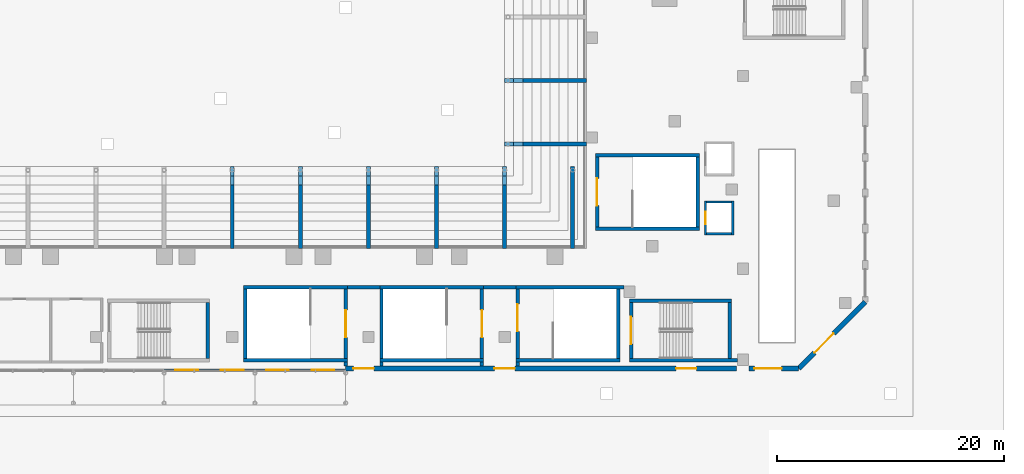
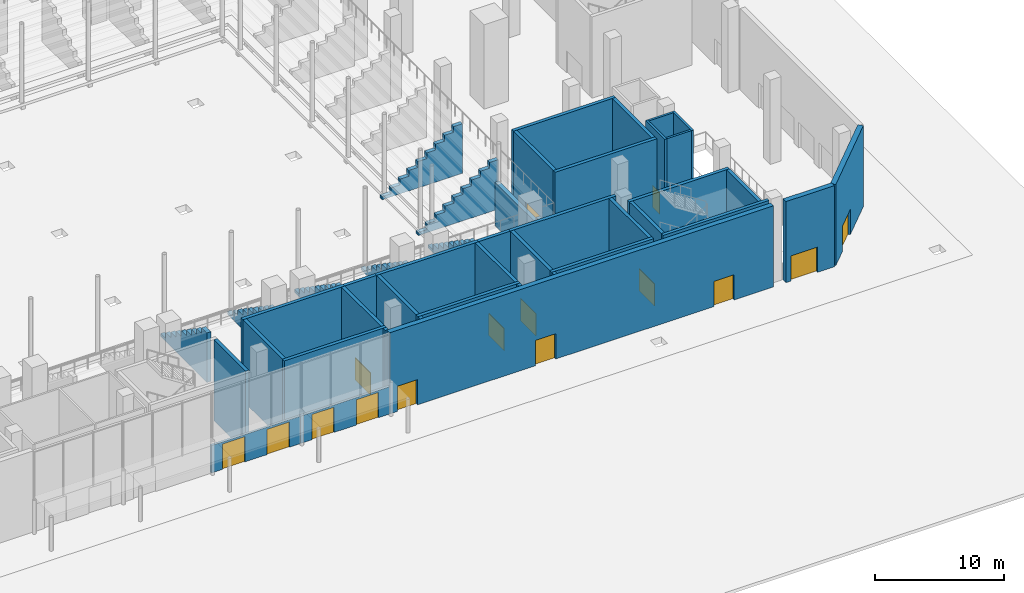
# One storey, part 22 of 41: 44 walls, 15 doors, 15 openings.
"""IFC4 building model written with IfcOpenShell, lengths in metres."""

from ifc_helpers import new_model, si_unit, direction, frame, frame_2d, origin, place, context, subcontext, project, spatial, polyline, rectangle, outline, extrude, material, layer, layer_set, type_object, element, fill, save


model = new_model("IFC4")

# Units and contexts
model_context = context("Model", 3, precision=1e-05, world=origin(), true_north=direction((0.0, 1.0)))
body_context = subcontext(model_context, "Body", "Model", "MODEL_VIEW")
ifc_project = project(units=[si_unit("LENGTHUNIT", "METRE"), si_unit("AREAUNIT", "SQUARE_METRE"), si_unit("VOLUMEUNIT", "CUBIC_METRE"), si_unit("PLANEANGLEUNIT", "RADIAN"), si_unit("MASSUNIT", "GRAM", prefix="KILO")], contexts=[model_context])

# Site, building, storey
site_placement = place(None, origin())
site = spatial("IfcSite", under=ifc_project, at=site_placement, CompositionType="ELEMENT")
building_placement = place(site_placement, origin())
building = spatial("IfcBuilding", under=site, at=building_placement, Name="Wharfspan Tower", CompositionType="ELEMENT")
storey_placement = place(building_placement, origin())
storey = spatial("IfcBuildingStorey", under=building, at=storey_placement, Name="L00", CompositionType="ELEMENT", Elevation=0.0)

# Wall, openings, doors
ifc_material_1 = material(Name="Glass fibre reinforced concrete C40/50", Category="concrete")
ifc_layer_1 = layer(ifc_material_1, 0.199951)
ifc_layer_set_1 = layer_set([ifc_layer_1], Name="Glass fibre reinforced concrete C40/50")
wall_type_1 = type_object("IfcWallType", Name="ENTRANCE INFILL WALL 200", PredefinedType="SOLIDWALL", material=ifc_layer_set_1)
wall_1_placement = place(storey_placement, frame((46.0, -31.899902, 0.0), z_axis=(0.0, 0.0, 1.0), x_axis=(1.0, 0.0, 0.0)))
wall_1 = element("IfcWall", 1, at=wall_1_placement, inside=storey, type_object=wall_type_1, Name="Entrance infill wall", PredefinedType="SOLIDWALL", context=body_context, shape_type="SweptSolid", body=[
    extrude(rectangle(XDim=8.0, YDim=0.199951, at=frame_2d((4.0, 0.0))), origin(), (0.0, 0.0, 1.0), 2.600098),
])
opening_1_placement = place(wall_1_placement, frame((1.0, 0.0, 0.0)))
opening_1 = element("IfcOpeningElement", 2, at=opening_1_placement, cuts=wall_1, Name="Opening ED1", PredefinedType="OPENING", context=body_context, shape_type="SweptSolid", body=[
    extrude(rectangle(XDim=2.0, YDim=2.399902, at=frame_2d((1.0, 1.199951))), frame((0.0, 0.109863, 0.0), z_axis=(0.0, -1.0, 0.0), x_axis=(1.0, 0.0, 0.0)), (0.0, 0.0, 1.0), 0.219971),
])
opening_2_placement = place(wall_1_placement, frame((5.0, 0.0, 0.0)))
opening_2 = element("IfcOpeningElement", 3, at=opening_2_placement, cuts=wall_1, Name="Opening ED1", PredefinedType="OPENING", context=body_context, shape_type="SweptSolid", body=[
    extrude(rectangle(XDim=2.0, YDim=2.399902, at=frame_2d((1.0, 1.199951))), frame((0.0, 0.109863, 0.0), z_axis=(0.0, -1.0, 0.0), x_axis=(1.0, 0.0, 0.0)), (0.0, 0.0, 1.0), 0.219971),
])
ifc_material_2 = material(Name="Aluminium 6063-T6", Category="aluminium")
door_type_1 = type_object("IfcDoorType", Name="ENTRANCE DOOR DOUBLE 2000x2400", OperationType="DOUBLE_DOOR_DOUBLE_SWING", PredefinedType="DOOR", material=ifc_material_2)
door_1_placement = place(opening_1_placement, origin())
door_1 = element("IfcDoor", 4, at=door_1_placement, inside=storey, type_object=door_type_1, Name="Entrance door", OperationType="DOUBLE_DOOR_DOUBLE_SWING", OverallHeight=2.399902, OverallWidth=2.0, PredefinedType="DOOR", context=body_context, shape_type="SweptSolid", body=[
    extrude(rectangle(XDim=2.0, YDim=2.399902, at=frame_2d((1.0, 1.199951))), frame((0.0, 0.024902, 0.0), z_axis=(0.0, -1.0, 0.0), x_axis=(1.0, 0.0, 0.0)), (0.0, 0.0, 1.0), 0.050049),
])
fill(opening_1, door_1)
door_2_placement = place(opening_2_placement, origin())
door_2 = element("IfcDoor", 5, at=door_2_placement, inside=storey, type_object=door_type_1, Name="Entrance door", OperationType="DOUBLE_DOOR_DOUBLE_SWING", OverallHeight=2.399902, OverallWidth=2.0, PredefinedType="DOOR", context=body_context, shape_type="SweptSolid", body=[
    extrude(rectangle(XDim=2.0, YDim=2.399902, at=frame_2d((1.0, 1.199951))), frame((0.0, 0.024902, 0.0), z_axis=(0.0, -1.0, 0.0), x_axis=(1.0, 0.0, 0.0)), (0.0, 0.0, 1.0), 0.050049),
])
fill(opening_2, door_2)

wall_2_placement = place(storey_placement, frame((54.0, -31.899902, 0.0), z_axis=(0.0, 0.0, 1.0), x_axis=(1.0, 0.0, 0.0)))
wall_2 = element("IfcWall", 6, at=wall_2_placement, inside=storey, type_object=wall_type_1, Name="Entrance infill wall", PredefinedType="SOLIDWALL", context=body_context, shape_type="SweptSolid", body=[
    extrude(rectangle(XDim=8.0, YDim=0.199951, at=frame_2d((4.0, 0.0))), origin(), (0.0, 0.0, 1.0), 2.600098),
])
opening_3_placement = place(wall_2_placement, frame((1.0, 0.0, 0.0)))
opening_3 = element("IfcOpeningElement", 7, at=opening_3_placement, cuts=wall_2, Name="Opening ED1", PredefinedType="OPENING", context=body_context, shape_type="SweptSolid", body=[
    extrude(rectangle(XDim=2.0, YDim=2.399902, at=frame_2d((1.0, 1.199951))), frame((0.0, 0.109863, 0.0), z_axis=(0.0, -1.0, 0.0), x_axis=(1.0, 0.0, 0.0)), (0.0, 0.0, 1.0), 0.219971),
])
opening_4_placement = place(wall_2_placement, frame((5.0, 0.0, 0.0)))
opening_4 = element("IfcOpeningElement", 8, at=opening_4_placement, cuts=wall_2, Name="Opening ED1", PredefinedType="OPENING", context=body_context, shape_type="SweptSolid", body=[
    extrude(rectangle(XDim=2.0, YDim=2.399902, at=frame_2d((1.0, 1.199951))), frame((0.0, 0.109863, 0.0), z_axis=(0.0, -1.0, 0.0), x_axis=(1.0, 0.0, 0.0)), (0.0, 0.0, 1.0), 0.219971),
])
door_3_placement = place(opening_3_placement, origin())
door_3 = element("IfcDoor", 9, at=door_3_placement, inside=storey, type_object=door_type_1, Name="Entrance door", OperationType="DOUBLE_DOOR_DOUBLE_SWING", OverallHeight=2.399902, OverallWidth=2.0, PredefinedType="DOOR", context=body_context, shape_type="SweptSolid", body=[
    extrude(rectangle(XDim=2.0, YDim=2.399902, at=frame_2d((1.0, 1.199951))), frame((0.0, 0.024902, 0.0), z_axis=(0.0, -1.0, 0.0), x_axis=(1.0, 0.0, 0.0)), (0.0, 0.0, 1.0), 0.050049),
])
fill(opening_3, door_3)
door_4_placement = place(opening_4_placement, origin())
door_4 = element("IfcDoor", 10, at=door_4_placement, inside=storey, type_object=door_type_1, Name="Entrance door", OperationType="DOUBLE_DOOR_DOUBLE_SWING", OverallHeight=2.399902, OverallWidth=2.0, PredefinedType="DOOR", context=body_context, shape_type="SweptSolid", body=[
    extrude(rectangle(XDim=2.0, YDim=2.399902, at=frame_2d((1.0, 1.199951))), frame((0.0, 0.024902, 0.0), z_axis=(0.0, -1.0, 0.0), x_axis=(1.0, 0.0, 0.0)), (0.0, 0.0, 1.0), 0.050049),
])
fill(opening_4, door_4)

# Wall, opening, door
ifc_material_3 = material(Name="Concrete C30/37", Category="concrete")
ifc_layer_2 = layer(ifc_material_3, 0.199951)
ifc_layer_set_2 = layer_set([ifc_layer_2], Name="Concrete C30/37")
wall_type_2 = type_object("IfcWallType", Name="Podium shaft wall 200", PredefinedType="PARTITIONING", material=ifc_layer_set_2)
wall_3_placement = place(storey_placement, frame((93.699951, -20.0, 0.0), z_axis=(0.0, 0.0, 1.0), x_axis=(0.0, 1.0, 0.0)))
wall_3 = element("IfcWall", 11, at=wall_3_placement, inside=storey, type_object=wall_type_2, Name="pl:LP2:L00:W", PredefinedType="PARTITIONING", context=body_context, shape_type="SweptSolid", body=[
    extrude(rectangle(XDim=3.0, YDim=0.199951, at=frame_2d((1.5, 0.0))), origin(), (0.0, 0.0, 1.0), 7.699951),
])
opening_5_placement = place(wall_3_placement, frame((0.949951, 0.0, 0.0)))
opening_5 = element("IfcOpeningElement", 12, at=opening_5_placement, cuts=wall_3, Name="Opening LDP2.L00", PredefinedType="OPENING", context=body_context, shape_type="SweptSolid", body=[
    extrude(rectangle(XDim=1.100098, YDim=2.100098, at=frame_2d((0.550049, 1.050049))), frame((0.0, 0.109863, 0.0), z_axis=(0.0, -1.0, 0.0), x_axis=(1.0, 0.0, 0.0)), (0.0, 0.0, 1.0), 0.219971),
])
ifc_material_4 = material(Name="Stainless steel", Category="steel")
door_type_2 = type_object("IfcDoorType", Name="Podium lift landing door 1100x2100", OperationType="DOUBLE_DOOR_SLIDING", PredefinedType="DOOR", material=ifc_material_4)
door_5_placement = place(opening_5_placement, origin())
door_5 = element("IfcDoor", 13, at=door_5_placement, inside=storey, type_object=door_type_2, Name="Landing door LP2 L00", OperationType="DOUBLE_DOOR_SLIDING", OverallHeight=2.100098, OverallWidth=1.100098, PredefinedType="DOOR", context=body_context, shape_type="SweptSolid", body=[
    extrude(rectangle(XDim=1.100098, YDim=2.100098, at=frame_2d((0.550049, 1.050049))), frame((0.0, 0.024902, 0.0), z_axis=(0.0, -1.0, 0.0), x_axis=(1.0, 0.0, 0.0)), (0.0, 0.0, 1.0), 0.050049),
])
fill(opening_5, door_5)

# Walls
wall_4_placement = place(storey_placement, frame((96.100098, -20.0, 0.0), z_axis=(0.0, 0.0, 1.0), x_axis=(0.0, 1.0, 0.0)))
element("IfcWall", 14, at=wall_4_placement, inside=storey, type_object=wall_type_2, Name="pl:LP2:L00:E", PredefinedType="PARTITIONING", context=body_context, shape_type="SweptSolid", body=[
    extrude(rectangle(XDim=3.0, YDim=0.199951, at=frame_2d((1.5, 0.0))), origin(), (0.0, 0.0, 1.0), 7.699951),
])
for number, where, z_axis, x_axis, name in (
    (15, (93.800049, -19.899902, 0.0), (0.0, 0.0, 1.0), (1.0, 0.0, 0.0), "pl:LP2:L00:S"),
    (16, (93.800049, -17.100098, 0.0), (0.0, 0.0, 1.0), (1.0, 0.0, 0.0), "pl:LP2:L00:N"),
):
    element("IfcWall", number, at=place(storey_placement, frame(where, z_axis=z_axis, x_axis=x_axis)), inside=storey, type_object=wall_type_2, Name=name, PredefinedType="PARTITIONING", context=body_context, shape_type="SweptSolid", body=[
        extrude(rectangle(XDim=2.199951, YDim=0.199951, at=frame_2d((1.100098, 0.0))), origin(), (0.0, 0.0, 1.0), 7.699951),
    ])
ifc_material_5 = material(Name="Concrete C40/50", Category="concrete")
ifc_layer_3 = layer(ifc_material_5, 0.300049)
ifc_layer_set_3 = layer_set([ifc_layer_3], Name="Concrete C40/50")
wall_type_3 = type_object("IfcWallType", Name="Podium stair core wall 300", PredefinedType="SHEAR", material=ifc_layer_set_3)
wall_5_placement = place(storey_placement, frame((49.850098, -30.899902, 0.0), z_axis=(0.0, 0.0, 1.0), x_axis=(0.0, 1.0, 0.0)))
element("IfcWall", 17, at=wall_5_placement, inside=storey, type_object=wall_type_3, Name="iw:L00:AS5E", PredefinedType="SHEAR", context=body_context, shape_type="SweptSolid", body=[
    extrude(rectangle(XDim=4.949951, YDim=0.300049, at=frame_2d((2.475098, 0.0))), origin(), (0.0, 0.0, 1.0), 7.699951),
])
wall_6_placement = place(storey_placement, frame((87.0, -31.050049, 0.0), z_axis=(0.0, 0.0, 1.0), x_axis=(1.0, 0.0, 0.0)))
element("IfcWall", 18, at=wall_6_placement, inside=storey, type_object=wall_type_3, Name="iw:L00:AS2S", PredefinedType="SHEAR", context=body_context, shape_type="SweptSolid", body=[
    extrude(rectangle(XDim=9.5, YDim=0.300049, at=frame_2d((4.75, 0.0))), origin(), (0.0, 0.0, 1.0), 7.699951),
])
wall_7_placement = place(storey_placement, frame((87.0, -25.800049, 0.0), z_axis=(0.0, 0.0, 1.0), x_axis=(1.0, 0.0, 0.0)))
element("IfcWall", 19, at=wall_7_placement, inside=storey, type_object=wall_type_3, Name="iw:L00:AS2N", PredefinedType="SHEAR", context=body_context, shape_type="SweptSolid", body=[
    extrude(rectangle(XDim=9.0, YDim=0.300049, at=frame_2d((4.5, 0.0))), origin(), (0.0, 0.0, 1.0), 7.699951),
])

# Wall, opening, door
wall_8_placement = place(storey_placement, frame((87.149902, -30.899902, 0.0), z_axis=(0.0, 0.0, 1.0), x_axis=(0.0, 1.0, 0.0)))
wall_8 = element("IfcWall", 20, at=wall_8_placement, inside=storey, type_object=wall_type_3, Name="iw:L00:AS2W", PredefinedType="SHEAR", context=body_context, shape_type="SweptSolid", body=[
    extrude(rectangle(XDim=4.949951, YDim=0.300049, at=frame_2d((2.475098, 0.0))), origin(), (0.0, 0.0, 1.0), 7.699951),
])
opening_6_placement = place(wall_8_placement, frame((1.274902, 0.0, 0.0)))
opening_6 = element("IfcOpeningElement", 21, at=opening_6_placement, cuts=wall_8, Name="Opening SDAS2.L00", PredefinedType="OPENING", context=body_context, shape_type="SweptSolid", body=[
    extrude(rectangle(XDim=2.399902, YDim=2.100098, at=frame_2d((1.199951, 1.050049))), frame((0.0, 0.159912, 0.0), z_axis=(0.0, -1.0, 0.0), x_axis=(1.0, 0.0, 0.0)), (0.0, 0.0, 1.0), 0.320068),
])
ifc_material_6 = material(Name="Steel door leaf", Category="steel")
door_type_3 = type_object("IfcDoorType", Name="Podium stair door 2400x2100", OperationType="DOUBLE_DOOR_SINGLE_SWING", PredefinedType="DOOR", material=ifc_material_6)
door_6_placement = place(opening_6_placement, origin())
door_6 = element("IfcDoor", 22, at=door_6_placement, inside=storey, type_object=door_type_3, Name="id:L00:AS2", OperationType="DOUBLE_DOOR_SINGLE_SWING", OverallHeight=2.100098, OverallWidth=2.399902, PredefinedType="DOOR", context=body_context, shape_type="SweptSolid", body=[
    extrude(rectangle(XDim=2.399902, YDim=2.100098, at=frame_2d((1.199951, 1.050049))), frame((0.0, 0.024902, 0.0), z_axis=(0.0, -1.0, 0.0), x_axis=(1.0, 0.0, 0.0)), (0.0, 0.0, 1.0), 0.050049),
])
fill(opening_6, door_6)

# Walls
wall_9_placement = place(storey_placement, frame((95.850098, -30.899902, 0.0), z_axis=(0.0, 0.0, 1.0), x_axis=(0.0, 1.0, 0.0)))
element("IfcWall", 23, at=wall_9_placement, inside=storey, type_object=wall_type_3, Name="iw:L00:AS2E", PredefinedType="SHEAR", context=body_context, shape_type="SweptSolid", body=[
    extrude(rectangle(XDim=4.949951, YDim=0.300049, at=frame_2d((2.475098, 0.0))), origin(), (0.0, 0.0, 1.0), 7.699951),
])
for number, where, z_axis, x_axis, name in (
    (24, (53.0, -31.050049, 0.0), (0.0, 0.0, 1.0), (1.0, 0.0, 0.0), "iw:L00:SB3S"),
    (25, (53.0, -24.600098, 0.0), (0.0, 0.0, 1.0), (1.0, 0.0, 0.0), "iw:L00:SB3N"),
):
    element("IfcWall", number, at=place(storey_placement, frame(where, z_axis=z_axis, x_axis=x_axis)), inside=storey, type_object=wall_type_3, Name=name, PredefinedType="SHEAR", context=body_context, shape_type="SweptSolid", body=[
        extrude(rectangle(XDim=9.149902, YDim=0.300049, at=frame_2d((4.574951, 0.0))), origin(), (0.0, 0.0, 1.0), 7.699951),
    ])
wall_10_placement = place(storey_placement, frame((53.149902, -30.899902, 0.0), z_axis=(0.0, 0.0, 1.0), x_axis=(0.0, 1.0, 0.0)))
element("IfcWall", 26, at=wall_10_placement, inside=storey, type_object=wall_type_3, Name="iw:L00:SB3W", PredefinedType="SHEAR", context=body_context, shape_type="SweptSolid", body=[
    extrude(rectangle(XDim=6.149902, YDim=0.300049, at=frame_2d((3.074951, 0.0))), origin(), (0.0, 0.0, 1.0), 7.699951),
])

# Wall, opening, door
wall_11_placement = place(storey_placement, frame((62.0, -30.899902, 0.0), z_axis=(0.0, 0.0, 1.0), x_axis=(0.0, 1.0, 0.0)))
wall_11 = element("IfcWall", 27, at=wall_11_placement, inside=storey, type_object=wall_type_3, Name="iw:L00:SB3E", PredefinedType="SHEAR", context=body_context, shape_type="SweptSolid", body=[
    extrude(rectangle(XDim=6.149902, YDim=0.300049, at=frame_2d((3.074951, 0.0))), origin(), (0.0, 0.0, 1.0), 7.699951),
])
opening_7_placement = place(wall_11_placement, frame((1.875, 0.0, 0.0)))
opening_7 = element("IfcOpeningElement", 28, at=opening_7_placement, cuts=wall_11, Name="Opening SDSB3.L00", PredefinedType="OPENING", context=body_context, shape_type="SweptSolid", body=[
    extrude(rectangle(XDim=2.399902, YDim=2.100098, at=frame_2d((1.199951, 1.050049))), frame((0.0, 0.159912, 0.0), z_axis=(0.0, -1.0, 0.0), x_axis=(1.0, 0.0, 0.0)), (0.0, 0.0, 1.0), 0.320068),
])
door_7_placement = place(opening_7_placement, origin())
door_7 = element("IfcDoor", 29, at=door_7_placement, inside=storey, type_object=door_type_3, Name="id:L00:SB3", OperationType="DOUBLE_DOOR_SINGLE_SWING", OverallHeight=2.100098, OverallWidth=2.399902, PredefinedType="DOOR", context=body_context, shape_type="SweptSolid", body=[
    extrude(rectangle(XDim=2.399902, YDim=2.100098, at=frame_2d((1.199951, 1.050049))), frame((0.0, 0.024902, 0.0), z_axis=(0.0, -1.0, 0.0), x_axis=(1.0, 0.0, 0.0)), (0.0, 0.0, 1.0), 0.050049),
])
fill(opening_7, door_7)

# Walls
for number, where, z_axis, x_axis, name in (
    (30, (65.0, -31.050049, 0.0), (0.0, 0.0, 1.0), (1.0, 0.0, 0.0), "iw:L00:SB4S"),
    (31, (65.0, -24.600098, 0.0), (0.0, 0.0, 1.0), (1.0, 0.0, 0.0), "iw:L00:SB4N"),
):
    element("IfcWall", number, at=place(storey_placement, frame(where, z_axis=z_axis, x_axis=x_axis)), inside=storey, type_object=wall_type_3, Name=name, PredefinedType="SHEAR", context=body_context, shape_type="SweptSolid", body=[
        extrude(rectangle(XDim=9.149902, YDim=0.300049, at=frame_2d((4.574951, 0.0))), origin(), (0.0, 0.0, 1.0), 7.699951),
    ])
wall_12_placement = place(storey_placement, frame((65.149902, -30.899902, 0.0), z_axis=(0.0, 0.0, 1.0), x_axis=(0.0, 1.0, 0.0)))
element("IfcWall", 32, at=wall_12_placement, inside=storey, type_object=wall_type_3, Name="iw:L00:SB4W", PredefinedType="SHEAR", context=body_context, shape_type="SweptSolid", body=[
    extrude(rectangle(XDim=6.149902, YDim=0.300049, at=frame_2d((3.074951, 0.0))), origin(), (0.0, 0.0, 1.0), 7.699951),
])

# Wall, opening, door
wall_13_placement = place(storey_placement, frame((74.0, -30.899902, 0.0), z_axis=(0.0, 0.0, 1.0), x_axis=(0.0, 1.0, 0.0)))
wall_13 = element("IfcWall", 33, at=wall_13_placement, inside=storey, type_object=wall_type_3, Name="iw:L00:SB4E", PredefinedType="SHEAR", context=body_context, shape_type="SweptSolid", body=[
    extrude(rectangle(XDim=6.149902, YDim=0.300049, at=frame_2d((3.074951, 0.0))), origin(), (0.0, 0.0, 1.0), 7.699951),
])
opening_8_placement = place(wall_13_placement, frame((1.875, 0.0, 0.0)))
opening_8 = element("IfcOpeningElement", 34, at=opening_8_placement, cuts=wall_13, Name="Opening SDSB4.L00", PredefinedType="OPENING", context=body_context, shape_type="SweptSolid", body=[
    extrude(rectangle(XDim=2.399902, YDim=2.100098, at=frame_2d((1.199951, 1.050049))), frame((0.0, 0.159912, 0.0), z_axis=(0.0, -1.0, 0.0), x_axis=(1.0, 0.0, 0.0)), (0.0, 0.0, 1.0), 0.320068),
])
door_8_placement = place(opening_8_placement, origin())
door_8 = element("IfcDoor", 35, at=door_8_placement, inside=storey, type_object=door_type_3, Name="id:L00:SB4", OperationType="DOUBLE_DOOR_SINGLE_SWING", OverallHeight=2.100098, OverallWidth=2.399902, PredefinedType="DOOR", context=body_context, shape_type="SweptSolid", body=[
    extrude(rectangle(XDim=2.399902, YDim=2.100098, at=frame_2d((1.199951, 1.050049))), frame((0.0, 0.024902, 0.0), z_axis=(0.0, -1.0, 0.0), x_axis=(1.0, 0.0, 0.0)), (0.0, 0.0, 1.0), 0.050049),
])
fill(opening_8, door_8)

# Walls
wall_14_placement = place(storey_placement, frame((77.0, -31.050049, 0.0), z_axis=(0.0, 0.0, 1.0), x_axis=(1.0, 0.0, 0.0)))
element("IfcWall", 36, at=wall_14_placement, inside=storey, type_object=wall_type_3, Name="iw:L00:SB5S", PredefinedType="SHEAR", context=body_context, shape_type="SweptSolid", body=[
    extrude(rectangle(XDim=9.149902, YDim=0.300049, at=frame_2d((4.574951, 0.0))), origin(), (0.0, 0.0, 1.0), 7.699951),
])
wall_15_placement = place(storey_placement, frame((77.0, -24.600098, 0.0), z_axis=(0.0, 0.0, 1.0), x_axis=(1.0, 0.0, 0.0)))
element("IfcWall", 37, at=wall_15_placement, inside=storey, type_object=wall_type_3, Name="iw:L00:SB5N", PredefinedType="SHEAR", context=body_context, shape_type="SweptSolid", body=[
    extrude(rectangle(XDim=9.5, YDim=0.300049, at=frame_2d((4.75, 0.0))), origin(), (0.0, 0.0, 1.0), 7.699951),
])

# Wall, opening, door
wall_16_placement = place(storey_placement, frame((77.149902, -30.899902, 0.0), z_axis=(0.0, 0.0, 1.0), x_axis=(0.0, 1.0, 0.0)))
wall_16 = element("IfcWall", 38, at=wall_16_placement, inside=storey, type_object=wall_type_3, Name="iw:L00:SB5W", PredefinedType="SHEAR", context=body_context, shape_type="SweptSolid", body=[
    extrude(rectangle(XDim=6.149902, YDim=0.300049, at=frame_2d((3.074951, 0.0))), origin(), (0.0, 0.0, 1.0), 7.699951),
])
opening_9_placement = place(wall_16_placement, frame((2.399902, 0.0, 0.0)))
opening_9 = element("IfcOpeningElement", 39, at=opening_9_placement, cuts=wall_16, Name="Opening SDSB5.L00", PredefinedType="OPENING", context=body_context, shape_type="SweptSolid", body=[
    extrude(rectangle(XDim=2.399902, YDim=2.100098, at=frame_2d((1.199951, 1.050049))), frame((0.0, 0.159912, 0.0), z_axis=(0.0, -1.0, 0.0), x_axis=(1.0, 0.0, 0.0)), (0.0, 0.0, 1.0), 0.320068),
])
door_9_placement = place(opening_9_placement, origin())
door_9 = element("IfcDoor", 40, at=door_9_placement, inside=storey, type_object=door_type_3, Name="id:L00:SB5", OperationType="DOUBLE_DOOR_SINGLE_SWING", OverallHeight=2.100098, OverallWidth=2.399902, PredefinedType="DOOR", context=body_context, shape_type="SweptSolid", body=[
    extrude(rectangle(XDim=2.399902, YDim=2.100098, at=frame_2d((1.199951, 1.050049))), frame((0.0, 0.024902, 0.0), z_axis=(0.0, -1.0, 0.0), x_axis=(1.0, 0.0, 0.0)), (0.0, 0.0, 1.0), 0.050049),
])
fill(opening_9, door_9)

# Walls
wall_17_placement = place(storey_placement, frame((86.0, -30.899902, 0.0), z_axis=(0.0, 0.0, 1.0), x_axis=(0.0, 1.0, 0.0)))
element("IfcWall", 41, at=wall_17_placement, inside=storey, type_object=wall_type_3, Name="iw:L00:SB5E", PredefinedType="SHEAR", context=body_context, shape_type="SweptSolid", body=[
    extrude(rectangle(XDim=6.149902, YDim=0.300049, at=frame_2d((3.074951, 0.0))), origin(), (0.0, 0.0, 1.0), 7.699951),
])
for number, where, z_axis, x_axis, name in (
    (42, (84.0, -19.449951, 0.0), (0.0, 0.0, 1.0), (1.0, 0.0, 0.0), "iw:L00:SB7S"),
    (43, (84.0, -13.0, 0.0), (0.0, 0.0, 1.0), (1.0, 0.0, 0.0), "iw:L00:SB7N"),
):
    element("IfcWall", number, at=place(storey_placement, frame(where, z_axis=z_axis, x_axis=x_axis)), inside=storey, type_object=wall_type_3, Name=name, PredefinedType="SHEAR", context=body_context, shape_type="SweptSolid", body=[
        extrude(rectangle(XDim=9.149902, YDim=0.300049, at=frame_2d((4.574951, 0.0))), origin(), (0.0, 0.0, 1.0), 7.699951),
    ])

# Wall, opening, door
wall_18_placement = place(storey_placement, frame((84.149902, -19.300049, 0.0), z_axis=(0.0, 0.0, 1.0), x_axis=(0.0, 1.0, 0.0)))
wall_18 = element("IfcWall", 44, at=wall_18_placement, inside=storey, type_object=wall_type_3, Name="iw:L00:SB7W", PredefinedType="SHEAR", context=body_context, shape_type="SweptSolid", body=[
    extrude(rectangle(XDim=6.150146, YDim=0.300049, at=frame_2d((3.075195, 0.0))), origin(), (0.0, 0.0, 1.0), 7.699951),
])
opening_10_placement = place(wall_18_placement, frame((1.875, 0.0, 0.0)))
opening_10 = element("IfcOpeningElement", 45, at=opening_10_placement, cuts=wall_18, Name="Opening SDSB7.L00", PredefinedType="OPENING", context=body_context, shape_type="SweptSolid", body=[
    extrude(rectangle(XDim=2.399902, YDim=2.100098, at=frame_2d((1.199951, 1.050049))), frame((0.0, 0.159912, 0.0), z_axis=(0.0, -1.0, 0.0), x_axis=(1.0, 0.0, 0.0)), (0.0, 0.0, 1.0), 0.320068),
])
door_10_placement = place(opening_10_placement, origin())
door_10 = element("IfcDoor", 46, at=door_10_placement, inside=storey, type_object=door_type_3, Name="id:L00:SB7", OperationType="DOUBLE_DOOR_SINGLE_SWING", OverallHeight=2.100098, OverallWidth=2.399902, PredefinedType="DOOR", context=body_context, shape_type="SweptSolid", body=[
    extrude(rectangle(XDim=2.399902, YDim=2.100098, at=frame_2d((1.199951, 1.050049))), frame((0.0, 0.024902, 0.0), z_axis=(0.0, -1.0, 0.0), x_axis=(1.0, 0.0, 0.0)), (0.0, 0.0, 1.0), 0.050049),
])
fill(opening_10, door_10)

# Walls
wall_19_placement = place(storey_placement, frame((93.0, -19.300049, 0.0), z_axis=(0.0, 0.0, 1.0), x_axis=(0.0, 1.0, 0.0)))
element("IfcWall", 47, at=wall_19_placement, inside=storey, type_object=wall_type_3, Name="iw:L00:SB7E", PredefinedType="SHEAR", context=body_context, shape_type="SweptSolid", body=[
    extrude(rectangle(XDim=6.150146, YDim=0.300049, at=frame_2d((3.075195, 0.0))), origin(), (0.0, 0.0, 1.0), 7.699951),
])
ifc_layer_4 = layer(ifc_material_3, 0.300049)
ifc_layer_set_4 = layer_set([ifc_layer_4], Name="Concrete C30/37")
wall_type_4 = type_object("IfcWallType", Name="Podium stair enclosure wall 300", PredefinedType="PARTITIONING", material=ifc_layer_set_4)
for number, where, z_axis, x_axis, name in (
    (48, (62.0, -31.550049, 0.0), (0.0, 0.0, 1.0), (0.0, 1.0, 0.0), "iw:L00:XPSB3cl0"),
    (49, (65.149902, -31.550049, 0.0), (0.0, 0.0, 1.0), (0.0, 1.0, 0.0), "iw:L00:XPSB3cl1"),
    (50, (74.0, -31.550049, 0.0), (0.0, 0.0, 1.0), (0.0, 1.0, 0.0), "iw:L00:XPSB45cl0"),
    (51, (77.149902, -31.550049, 0.0), (0.0, 0.0, 1.0), (0.0, 1.0, 0.0), "iw:L00:XPSB45cl1"),
):
    element("IfcWall", number, at=place(storey_placement, frame(where, z_axis=z_axis, x_axis=x_axis)), inside=storey, type_object=wall_type_4, Name=name, PredefinedType="PARTITIONING", context=body_context, shape_type="SweptSolid", body=[
        extrude(rectangle(XDim=0.350098, YDim=0.300049, at=frame_2d((0.175049, 0.0))), origin(), (0.0, 0.0, 1.0), 7.699951),
    ])
ifc_layer_5 = layer(ifc_material_3, 0.199951)
ifc_layer_set_5 = layer_set([ifc_layer_5], Name="Concrete C30/37")
wall_type_5 = type_object("IfcWallType", Name="Protected corridor wall 200", PredefinedType="PARTITIONING", material=ifc_layer_set_5)
for number, where, z_axis, x_axis, name in (
    (52, (62.149902, -24.600098, 0.0), (0.0, 0.0, 1.0), (1.0, 0.0, 0.0), "iw:L00:XPSB3cap"),
    (53, (74.149902, -24.600098, 0.0), (0.0, 0.0, 1.0), (1.0, 0.0, 0.0), "iw:L00:XPSB45cap"),
):
    element("IfcWall", number, at=place(storey_placement, frame(where, z_axis=z_axis, x_axis=x_axis)), inside=storey, type_object=wall_type_5, Name=name, PredefinedType="PARTITIONING", context=body_context, shape_type="SweptSolid", body=[
        extrude(rectangle(XDim=2.850098, YDim=0.300049, at=frame_2d((1.425049, 0.0))), origin(), (0.0, 0.0, 1.0), 7.699951),
    ])
ifc_material_7 = material(Name="Concrete C35/45", Category="concrete")
ifc_layer_6 = layer(ifc_material_7, 0.350098)
ifc_layer_set_6 = layer_set([ifc_layer_6], Name="Concrete C35/45")
wall_type_6 = type_object("IfcWallType", Name="Raker wall 350", PredefinedType="SHEAR", material=ifc_layer_set_6)
for number, where, z_axis, x_axis, name in (
    (54, (52.0, -14.0, 0.0), (0.0, 0.0, 1.0), (0.0, -1.0, 0.0), "Raker wall"),
    (55, (58.0, -14.0, 0.0), (0.0, 0.0, 1.0), (0.0, -1.0, 0.0), "Raker wall"),
    (56, (64.0, -14.0, 0.0), (0.0, 0.0, 1.0), (0.0, -1.0, 0.0), "Raker wall"),
    (57, (70.0, -14.0, 0.0), (0.0, 0.0, 1.0), (0.0, -1.0, 0.0), "Raker wall"),
    (58, (76.0, -14.0, 0.0), (0.0, 0.0, 1.0), (0.0, -1.0, 0.0), "Raker wall"),
):
    element("IfcWall", number, at=place(storey_placement, frame(where, z_axis=z_axis, x_axis=x_axis)), inside=storey, type_object=wall_type_6, Name=name, PredefinedType="SHEAR", context=body_context, shape_type="SweptSolid", body=[
        extrude(outline(polyline([(0.0, 0.0), (7.199951, 0.0), (7.199951, 4.699951), (6.399902, 4.699951), (6.399902, 4.149902), (5.600098, 4.149902), (5.600098, 3.600098), (4.800049, 3.600098), (4.800049, 3.050049), (4.0, 3.050049), (4.0, 2.5), (3.199951, 2.5), (3.199951, 1.949951), (2.399902, 1.949951), (2.399902, 1.399902), (1.600098, 1.399902), (1.600098, 0.850098), (0.800049, 0.850098), (0.800049, 0.300049), (0.0, 0.300049), (0.0, 0.0)])), frame((0.0, 0.175049, 0.0), z_axis=(0.0, -1.0, 0.0), x_axis=(1.0, 0.0, 0.0)), (0.0, 0.0, 1.0), 0.350098),
    ])
wall_20_placement = place(storey_placement, frame((82.0, -14.0, 0.0), z_axis=(0.0, 0.0, 1.0), x_axis=(0.0, -1.0, 0.0)))
element("IfcWall", 59, at=wall_20_placement, inside=storey, type_object=wall_type_6, Name="Raker wall", PredefinedType="SHEAR", context=body_context, shape_type="SweptSolid", body=[
    extrude(outline(polyline([(0.0, 0.0), (7.199951, 0.0), (7.199951, 4.699951), (6.399902, 4.699951), (6.399902, 4.149902), (5.600098, 4.149902), (4.800049, 4.149902), (4.0, 4.149902), (3.199951, 4.149902), (2.399902, 4.149902), (1.600098, 4.149902), (0.800049, 4.149902), (0.0, 4.149902), (0.0, 0.0)])), frame((0.0, 0.175049, 0.0), z_axis=(0.0, -1.0, 0.0), x_axis=(1.0, 0.0, 0.0)), (0.0, 0.0, 1.0), 0.350098),
])
for number, where, z_axis, x_axis, name in (
    (60, (76.0, -12.0, 0.0), (0.0, 0.0, 1.0), (1.0, 0.0, 0.0), "Raker wall"),
    (61, (76.0, -6.399902, 0.0), (0.0, 0.0, 1.0), (1.0, 0.0, 0.0), "Raker wall"),
):
    element("IfcWall", number, at=place(storey_placement, frame(where, z_axis=z_axis, x_axis=x_axis)), inside=storey, type_object=wall_type_6, Name=name, PredefinedType="SHEAR", context=body_context, shape_type="SweptSolid", body=[
        extrude(outline(polyline([(0.0, 0.0), (7.199951, 0.0), (7.199951, 4.699951), (6.399902, 4.699951), (6.399902, 4.149902), (5.600098, 4.149902), (5.600098, 3.600098), (4.800049, 3.600098), (4.800049, 3.050049), (4.0, 3.050049), (4.0, 2.5), (3.199951, 2.5), (3.199951, 1.949951), (2.399902, 1.949951), (2.399902, 1.399902), (1.600098, 1.399902), (1.600098, 0.850098), (0.800049, 0.850098), (0.800049, 0.300049), (0.0, 0.300049), (0.0, 0.0)])), frame((0.0, 0.175049, 0.0), z_axis=(0.0, -1.0, 0.0), x_axis=(1.0, 0.0, 0.0)), (0.0, 0.0, 1.0), 0.350098),
    ])

# Wall, openings, doors
ifc_layer_7 = layer(ifc_material_5, 0.449951)
ifc_layer_set_7 = layer_set([ifc_layer_7], Name="Concrete C40/50")
wall_type_7 = type_object("IfcWallType", Name="WALL BOARD-MARKED CONCRETE 450", PredefinedType="SOLIDWALL", material=ifc_layer_set_7)
wall_21_placement = place(storey_placement, frame((62.0, -31.774902, 0.0), z_axis=(0.0, 0.0, 1.0), x_axis=(1.0, 0.0, 0.0)))
wall_21 = element("IfcWall", 62, at=wall_21_placement, inside=storey, type_object=wall_type_7, Name="Podium wall PF1", PredefinedType="SOLIDWALL", context=body_context, shape_type="SweptSolid", body=[
    extrude(rectangle(XDim=34.449951, YDim=0.449951, at=frame_2d((17.225098, 0.0))), origin(), (0.0, 0.0, 1.0), 7.699951),
])
opening_11_placement = place(wall_21_placement, frame((13.100098, 0.0, 0.0)))
opening_11 = element("IfcOpeningElement", 63, at=opening_11_placement, cuts=wall_21, Name="Opening ED2", PredefinedType="OPENING", context=body_context, shape_type="SweptSolid", body=[
    extrude(rectangle(XDim=1.800049, YDim=2.399902, at=frame_2d((0.899902, 1.199951))), frame((0.0, 0.234863, 0.0), z_axis=(0.0, -1.0, 0.0), x_axis=(1.0, 0.0, 0.0)), (0.0, 0.0, 1.0), 0.469971),
])
opening_12_placement = place(wall_21_placement, frame((29.100098, 0.0, 0.0)))
opening_12 = element("IfcOpeningElement", 64, at=opening_12_placement, cuts=wall_21, Name="Opening ED2", PredefinedType="OPENING", context=body_context, shape_type="SweptSolid", body=[
    extrude(rectangle(XDim=1.800049, YDim=2.399902, at=frame_2d((0.899902, 1.199951))), frame((0.0, 0.234863, 0.0), z_axis=(0.0, -1.0, 0.0), x_axis=(1.0, 0.0, 0.0)), (0.0, 0.0, 1.0), 0.469971),
])
opening_13_placement = place(wall_21_placement, frame((0.679932, 0.0, 0.0)))
opening_13 = element("IfcOpeningElement", 65, at=opening_13_placement, cuts=wall_21, Name="Opening ED2", PredefinedType="OPENING", context=body_context, shape_type="SweptSolid", body=[
    extrude(rectangle(XDim=1.800049, YDim=2.399902, at=frame_2d((0.899902, 1.199951))), frame((0.0, 0.234863, 0.0), z_axis=(0.0, -1.0, 0.0), x_axis=(1.0, 0.0, 0.0)), (0.0, 0.0, 1.0), 0.469971),
])
ifc_material_8 = material(Name="Steel S355J2", Category="steel")
door_type_4 = type_object("IfcDoorType", Name="EXIT DOOR DOUBLE 1800x2400", OperationType="DOUBLE_DOOR_DOUBLE_SWING", PredefinedType="DOOR", material=ifc_material_8)
door_11_placement = place(opening_11_placement, origin())
door_11 = element("IfcDoor", 66, at=door_11_placement, inside=storey, type_object=door_type_4, Name="Exit door", OperationType="DOUBLE_DOOR_DOUBLE_SWING", OverallHeight=2.399902, OverallWidth=1.800049, PredefinedType="DOOR", context=body_context, shape_type="SweptSolid", body=[
    extrude(rectangle(XDim=1.800049, YDim=2.399902, at=frame_2d((0.899902, 1.199951))), frame((0.0, 0.024902, 0.0), z_axis=(0.0, -1.0, 0.0), x_axis=(1.0, 0.0, 0.0)), (0.0, 0.0, 1.0), 0.050049),
])
fill(opening_11, door_11)
door_12_placement = place(opening_12_placement, origin())
door_12 = element("IfcDoor", 67, at=door_12_placement, inside=storey, type_object=door_type_4, Name="Exit door", OperationType="DOUBLE_DOOR_DOUBLE_SWING", OverallHeight=2.399902, OverallWidth=1.800049, PredefinedType="DOOR", context=body_context, shape_type="SweptSolid", body=[
    extrude(rectangle(XDim=1.800049, YDim=2.399902, at=frame_2d((0.899902, 1.199951))), frame((0.0, 0.024902, 0.0), z_axis=(0.0, -1.0, 0.0), x_axis=(1.0, 0.0, 0.0)), (0.0, 0.0, 1.0), 0.050049),
])
fill(opening_12, door_12)
door_13_placement = place(opening_13_placement, origin())
door_13 = element("IfcDoor", 68, at=door_13_placement, inside=storey, type_object=door_type_4, Name="Exit door", OperationType="DOUBLE_DOOR_DOUBLE_SWING", OverallHeight=2.399902, OverallWidth=1.800049, PredefinedType="DOOR", context=body_context, shape_type="SweptSolid", body=[
    extrude(rectangle(XDim=1.800049, YDim=2.399902, at=frame_2d((0.899902, 1.199951))), frame((0.0, 0.024902, 0.0), z_axis=(0.0, -1.0, 0.0), x_axis=(1.0, 0.0, 0.0)), (0.0, 0.0, 1.0), 0.050049),
])
fill(opening_13, door_13)

# Wall, opening, door
wall_22_placement = place(storey_placement, frame((97.550049, -31.774902, 0.0), z_axis=(0.0, 0.0, 1.0), x_axis=(1.0, 0.0, 0.0)))
wall_22 = element("IfcWall", 69, at=wall_22_placement, inside=storey, type_object=wall_type_7, Name="Podium wall PF1", PredefinedType="SOLIDWALL", context=body_context, shape_type="SweptSolid", body=[
    extrude(rectangle(XDim=4.349854, YDim=0.449951, at=frame_2d((2.174805, 0.0))), origin(), (0.0, 0.0, 1.0), 7.699951),
])
opening_14_placement = place(wall_22_placement, frame((0.449951, 0.0, 0.0)))
opening_14 = element("IfcOpeningElement", 70, at=opening_14_placement, cuts=wall_22, Name="Opening ED4", PredefinedType="OPENING", context=body_context, shape_type="SweptSolid", body=[
    extrude(rectangle(XDim=2.399902, YDim=2.399902, at=frame_2d((1.199951, 1.199951))), frame((0.0, 0.234863, 0.0), z_axis=(0.0, -1.0, 0.0), x_axis=(1.0, 0.0, 0.0)), (0.0, 0.0, 1.0), 0.469971),
])
door_type_5 = type_object("IfcDoorType", Name="EXIT DOOR DOUBLE 2400x2400", OperationType="DOUBLE_DOOR_DOUBLE_SWING", PredefinedType="DOOR", material=ifc_material_8)
door_14_placement = place(opening_14_placement, origin())
door_14 = element("IfcDoor", 71, at=door_14_placement, inside=storey, type_object=door_type_5, Name="Exit door", OperationType="DOUBLE_DOOR_DOUBLE_SWING", OverallHeight=2.399902, OverallWidth=2.399902, PredefinedType="DOOR", context=body_context, shape_type="SweptSolid", body=[
    extrude(rectangle(XDim=2.399902, YDim=2.399902, at=frame_2d((1.199951, 1.199951))), frame((0.0, 0.024902, 0.0), z_axis=(0.0, -1.0, 0.0), x_axis=(1.0, 0.0, 0.0)), (0.0, 0.0, 1.0), 0.050049),
])
fill(opening_14, door_14)

wall_23_placement = place(storey_placement, frame((101.911621, -31.770264, 0.0), z_axis=(0.0, 0.0, 1.0), x_axis=(0.707107, 0.707107, 0.0)))
wall_23 = element("IfcWall", 72, at=wall_23_placement, inside=storey, type_object=wall_type_7, Name="Podium wall PF2", PredefinedType="SOLIDWALL", context=body_context, shape_type="SweptSolid", body=[
    extrude(rectangle(XDim=8.2854, YDim=0.449951, at=frame_2d((4.142578, 0.0))), origin(), (0.0, 0.0, 1.0), 7.699951),
])
opening_15_placement = place(wall_23_placement, frame((1.949951, 0.0, 0.0)))
opening_15 = element("IfcOpeningElement", 73, at=opening_15_placement, cuts=wall_23, Name="Opening ED4", PredefinedType="OPENING", context=body_context, shape_type="SweptSolid", body=[
    extrude(rectangle(XDim=2.399902, YDim=2.399902, at=frame_2d((1.199951, 1.199951))), frame((0.0, 0.234863, 0.0), z_axis=(0.0, -1.0, 0.0), x_axis=(1.0, 0.0, 0.0)), (0.0, 0.0, 1.0), 0.469971),
])
door_15_placement = place(opening_15_placement, origin())
door_15 = element("IfcDoor", 74, at=door_15_placement, inside=storey, type_object=door_type_5, Name="Exit door", OperationType="DOUBLE_DOOR_DOUBLE_SWING", OverallHeight=2.399902, OverallWidth=2.399902, PredefinedType="DOOR", context=body_context, shape_type="SweptSolid", body=[
    extrude(rectangle(XDim=2.399902, YDim=2.399902, at=frame_2d((1.199951, 1.199951))), frame((0.0, 0.024902, 0.0), z_axis=(0.0, -1.0, 0.0), x_axis=(1.0, 0.0, 0.0)), (0.0, 0.0, 1.0), 0.050049),
])
fill(opening_15, door_15)

save(model, "model.ifc")
